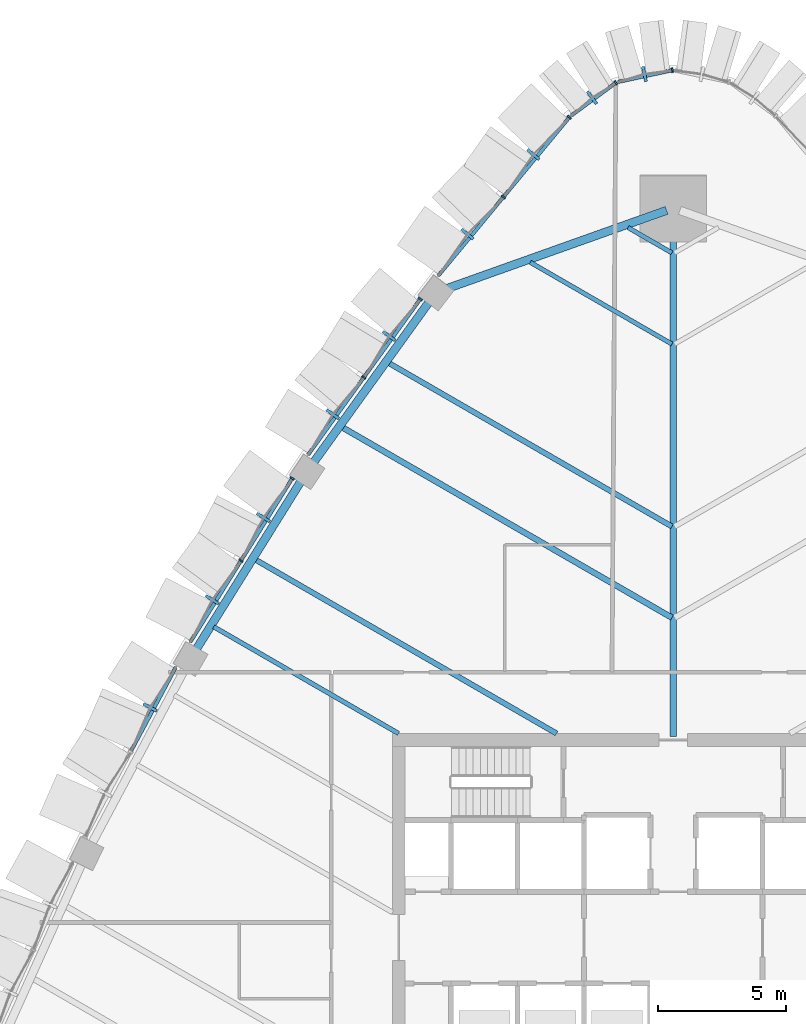
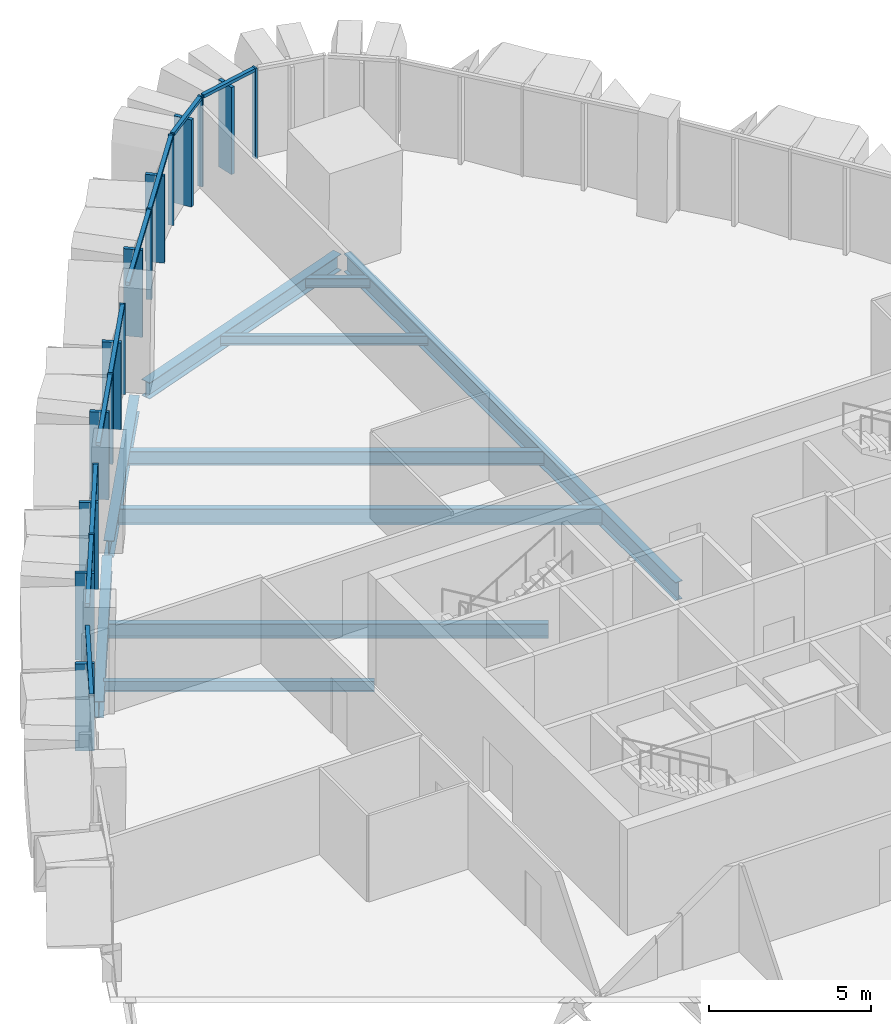
# One storey, part 6 of 18: 26 members, 10 beams, 6 elements without a shape of their own.
"""IFC4 building model written with IfcOpenShell, lengths in metres."""

from ifc_helpers import new_model, si_unit, direction, frame, origin, origin_2d, place, context, subcontext, project, spatial, rectangle, i_section, extrude, material, layer, layer_set, material_profile, profile_set, type_object, element, aggregate, save


model = new_model("IFC4")

# Units and contexts
model_context = context("Model", 3, precision=1e-05, world=origin(), true_north=direction((0.0, 1.0)))
body_context = subcontext(model_context, "Body", "Model", "MODEL_VIEW")
ifc_project = project(units=[si_unit("LENGTHUNIT", "METRE"), si_unit("AREAUNIT", "SQUARE_METRE"), si_unit("VOLUMEUNIT", "CUBIC_METRE"), si_unit("PLANEANGLEUNIT", "RADIAN"), si_unit("MASSUNIT", "GRAM", prefix="KILO")], contexts=[model_context])

# Site, building, storey
site_placement = place(None, origin())
site = spatial("IfcSite", under=ifc_project, at=site_placement, CompositionType="ELEMENT")
building_placement = place(site_placement, origin())
building = spatial("IfcBuilding", under=site, at=building_placement, Name="Sierra Prisma Convention Tower", CompositionType="ELEMENT")
storey_placement = place(building_placement, frame((0.0, 0.0, 137.800048828125)))
storey = spatial("IfcBuildingStorey", under=building, at=storey_placement, Name="L29", CompositionType="ELEMENT", Elevation=137.800048828125)

# Curtain wall, member
ifc_material_1 = material(Name="Aluminium and glass curtain wall", Category="aluminium")
ifc_layer = layer(ifc_material_1, 0.179931640625)
ifc_layer_set = layer_set([ifc_layer], Name="CW-2 Faceted crystal curtain wall")
curtain_wall_type = type_object("IfcCurtainWallType", Name="CW-2 Faceted crystal curtain wall", PredefinedType="NOTDEFINED", material=ifc_layer_set)
curtain_wall_1_placement = place(storey_placement, origin())
curtain_wall_1 = element("IfcCurtainWall", 1, at=curtain_wall_1_placement, inside=storey, type_object=curtain_wall_type, Name="CW-2 N3 L29", PredefinedType="NOTDEFINED")
ifc_material_2 = material(Name="Aluminium 6063-T6 bronze anodised", Category="aluminium")
ifc_material_profile_1 = material_profile(ifc_material_2, rectangle(XDim=0.1201171875, YDim=0.60009765625, at=origin_2d()), Name="ALU RIDGE BLADE 120x600")
ifc_profile_set_1 = profile_set([ifc_material_profile_1], Name="Aluminium 6063-T6 bronze anodised")
member_type_1 = type_object("IfcMemberType", Name="CW hip bronze", PredefinedType="MULLION", material=ifc_profile_set_1)
member_1_placement = place(storey_placement, frame((-1.127685546875, 33.839111328125, 0.0), z_axis=(0.0, 0.0, 1.0), x_axis=(-0.977709701838, -0.209961279603, 0.0)))
member_1 = element("IfcMember", 2, at=member_1_placement, type_object=member_type_1, Name="CW-2 ridge N3.1", PredefinedType="MULLION", context=body_context, shape_type="SweptSolid", body=[
    extrude(rectangle(XDim=0.1201171875, YDim=0.60009765625, at=origin_2d()), origin(), (0.0, 0.0, 1.0), 3.280029296875),
])

curtain_wall_2_placement = place(storey_placement, origin())
curtain_wall_2 = element("IfcCurtainWall", 3, at=curtain_wall_2_placement, inside=storey, type_object=curtain_wall_type, Name="CW-2 N4 L29", PredefinedType="NOTDEFINED")
member_2_placement = place(storey_placement, frame((-3.183837890625, 32.9130859375, 0.0), z_axis=(0.0, 0.0, 1.0), x_axis=(-0.805305304838, -0.592860325878, 0.0)))
member_2 = element("IfcMember", 4, at=member_2_placement, type_object=member_type_1, Name="CW-2 ridge N4.1", PredefinedType="MULLION", context=body_context, shape_type="SweptSolid", body=[
    extrude(rectangle(XDim=0.1201171875, YDim=0.60009765625, at=origin_2d()), origin(), (0.0, 0.0, 1.0), 3.280029296875),
])

# Curtain wall, members
curtain_wall_3_placement = place(storey_placement, origin())
curtain_wall_3 = element("IfcCurtainWall", 5, at=curtain_wall_3_placement, inside=storey, type_object=curtain_wall_type, Name="CW-2 NW1 L29", PredefinedType="NOTDEFINED")
member_3_placement = place(storey_placement, frame((-5.482177734375, 30.685302734375, 0.0), z_axis=(0.0, 0.0, 1.0), x_axis=(-0.637420262791, -0.770516325968, 0.0)))
member_3 = element("IfcMember", 6, at=member_3_placement, type_object=member_type_1, Name="CW-2 ridge NW1.1", PredefinedType="MULLION", context=body_context, shape_type="SweptSolid", body=[
    extrude(rectangle(XDim=0.1201171875, YDim=0.60009765625, at=origin_2d()), origin(), (0.0, 0.0, 1.0), 3.280029296875),
])
member_4_placement = place(storey_placement, frame((-8.0634765625, 27.56494140625, 0.0), z_axis=(0.0, 0.0, 1.0), x_axis=(-0.637420262791, -0.770516325968, 0.0)))
member_4 = element("IfcMember", 7, at=member_4_placement, type_object=member_type_1, Name="CW-2 ridge NW1.2", PredefinedType="MULLION", context=body_context, shape_type="SweptSolid", body=[
    extrude(rectangle(XDim=0.1201171875, YDim=0.60009765625, at=origin_2d()), origin(), (0.0, 0.0, 1.0), 3.280029296875),
])

curtain_wall_4_placement = place(storey_placement, origin())
curtain_wall_4 = element("IfcCurtainWall", 8, at=curtain_wall_4_placement, inside=storey, type_object=curtain_wall_type, Name="CW-2 NW2 L29", PredefinedType="NOTDEFINED")
member_5_placement = place(storey_placement, frame((-11.135498046875, 23.57470703125, 0.0), z_axis=(0.0, 0.0, 1.0), x_axis=(-0.584388948074, -0.81147369481, 0.0)))
member_5 = element("IfcMember", 9, at=member_5_placement, type_object=member_type_1, Name="CW-2 ridge NW2.1", PredefinedType="MULLION", context=body_context, shape_type="SweptSolid", body=[
    extrude(rectangle(XDim=0.1201171875, YDim=0.60009765625, at=origin_2d()), origin(), (0.0, 0.0, 1.0), 3.280029296875),
])
member_6_placement = place(storey_placement, frame((-13.3427734375, 20.509765625, 0.0), z_axis=(0.0, 0.0, 1.0), x_axis=(-0.584388948074, -0.81147369481, 0.0)))
member_6 = element("IfcMember", 10, at=member_6_placement, type_object=member_type_1, Name="CW-2 ridge NW2.2", PredefinedType="MULLION", context=body_context, shape_type="SweptSolid", body=[
    extrude(rectangle(XDim=0.1201171875, YDim=0.60009765625, at=origin_2d()), origin(), (0.0, 0.0, 1.0), 3.280029296875),
])

curtain_wall_5_placement = place(storey_placement, origin())
curtain_wall_5 = element("IfcCurtainWall", 11, at=curtain_wall_5_placement, inside=storey, type_object=curtain_wall_type, Name="CW-2 NW3 L29", PredefinedType="NOTDEFINED")
member_7_placement = place(storey_placement, frame((-16.0576171875, 16.46044921875, 0.0), z_axis=(0.0, 0.0, 1.0), x_axis=(-0.528733828428, -0.848787687632, 0.0)))
member_7 = element("IfcMember", 12, at=member_7_placement, type_object=member_type_1, Name="CW-2 ridge NW3.1", PredefinedType="MULLION", context=body_context, shape_type="SweptSolid", body=[
    extrude(rectangle(XDim=0.1201171875, YDim=0.60009765625, at=origin_2d()), origin(), (0.0, 0.0, 1.0), 3.280029296875),
])
member_8_placement = place(storey_placement, frame((-18.063232421875, 13.24072265625, 0.0), z_axis=(0.0, 0.0, 1.0), x_axis=(-0.528733828428, -0.848787687632, 0.0)))
member_8 = element("IfcMember", 13, at=member_8_placement, type_object=member_type_1, Name="CW-2 ridge NW3.2", PredefinedType="MULLION", context=body_context, shape_type="SweptSolid", body=[
    extrude(rectangle(XDim=0.1201171875, YDim=0.60009765625, at=origin_2d()), origin(), (0.0, 0.0, 1.0), 3.280029296875),
])

# Curtain wall, member
curtain_wall_6_placement = place(storey_placement, origin())
curtain_wall_6 = element("IfcCurtainWall", 14, at=curtain_wall_6_placement, inside=storey, type_object=curtain_wall_type, Name="CW-2 NW4 L29", PredefinedType="NOTDEFINED")
member_9_placement = place(storey_placement, frame((-20.498291015625, 9.022705078125, 0.0), z_axis=(0.0, 0.0, 1.0), x_axis=(-0.470704785695, -0.882290771075, 0.0)))
member_9 = element("IfcMember", 15, at=member_9_placement, type_object=member_type_1, Name="CW-2 ridge NW4.1", PredefinedType="MULLION", context=body_context, shape_type="SweptSolid", body=[
    extrude(rectangle(XDim=0.1201171875, YDim=0.60009765625, at=origin_2d()), origin(), (0.0, 0.0, 1.0), 3.280029296875),
])

# Member
ifc_material_3 = material(Name="Aluminium 6063-T6 bronze anodised", Category="aluminium")
ifc_material_profile_2 = material_profile(ifc_material_3, rectangle(XDim=0.179931640625, YDim=0.070068359375, at=origin_2d()), Name="ALU MULLION 70x180")
ifc_profile_set_2 = profile_set([ifc_material_profile_2], Name="Aluminium 6063-T6 bronze anodised")
member_type_2 = type_object("IfcMemberType", Name="CW mullion bronze", PredefinedType="MULLION", material=ifc_profile_set_2)
member_10_placement = place(storey_placement, frame((-0.0341796875, 33.988037109375, 0.0), z_axis=(0.0, 0.0, 1.0), x_axis=(0.209961279603, -0.977709701838, 0.0)))
member_10 = element("IfcMember", 16, at=member_10_placement, type_object=member_type_2, Name="CW-1 mullion N3.1", PredefinedType="MULLION", context=body_context, shape_type="SweptSolid", body=[
    extrude(rectangle(XDim=0.179931640625, YDim=0.070068359375, at=origin_2d()), origin(), (0.0, 0.0, 1.0), 3.39990234375),
])

member_11_placement = place(storey_placement, frame((-2.248046875, 33.497802734375, 0.0), z_axis=(0.0, 0.0, 1.0), x_axis=(0.592860325878, -0.805305304838, 0.0)))
member_11 = element("IfcMember", 17, at=member_11_placement, type_object=member_type_2, Name="CW-1 mullion N4.1", PredefinedType="MULLION", context=body_context, shape_type="SweptSolid", body=[
    extrude(rectangle(XDim=0.179931640625, YDim=0.070068359375, at=origin_2d()), origin(), (0.0, 0.0, 1.0), 3.39990234375),
])

member_12_placement = place(storey_placement, frame((-4.07080078125, 32.1455078125, 0.0), z_axis=(0.0, 0.0, 1.0), x_axis=(0.770516325968, -0.637420262791, 0.0)))
member_12 = element("IfcMember", 18, at=member_12_placement, type_object=member_type_2, Name="CW-1 mullion NW1.1", PredefinedType="MULLION", context=body_context, shape_type="SweptSolid", body=[
    extrude(rectangle(XDim=0.179931640625, YDim=0.070068359375, at=origin_2d()), origin(), (0.0, 0.0, 1.0), 3.39990234375),
])

member_13_placement = place(storey_placement, frame((-6.652099609375, 29.025146484375, 0.0), z_axis=(0.0, 0.0, 1.0), x_axis=(0.770516325968, -0.637420262791, 0.0)))
member_13 = element("IfcMember", 19, at=member_13_placement, type_object=member_type_2, Name="CW-1 mullion NW1.2", PredefinedType="MULLION", context=body_context, shape_type="SweptSolid", body=[
    extrude(rectangle(XDim=0.179931640625, YDim=0.070068359375, at=origin_2d()), origin(), (0.0, 0.0, 1.0), 3.39990234375),
])

member_14_placement = place(storey_placement, frame((-9.913330078125, 25.02197265625, 0.0), z_axis=(0.0, 0.0, 1.0), x_axis=(0.81147369481, -0.584388948074, 0.0)))
member_14 = element("IfcMember", 20, at=member_14_placement, type_object=member_type_2, Name="CW-1 mullion NW2.1", PredefinedType="MULLION", context=body_context, shape_type="SweptSolid", body=[
    extrude(rectangle(XDim=0.179931640625, YDim=0.070068359375, at=origin_2d()), origin(), (0.0, 0.0, 1.0), 3.39990234375),
])

member_15_placement = place(storey_placement, frame((-12.120849609375, 21.95703125, 0.0), z_axis=(0.0, 0.0, 1.0), x_axis=(0.81147369481, -0.584388948074, 0.0)))
member_15 = element("IfcMember", 21, at=member_15_placement, type_object=member_type_2, Name="CW-1 mullion NW2.2", PredefinedType="MULLION", context=body_context, shape_type="SweptSolid", body=[
    extrude(rectangle(XDim=0.179931640625, YDim=0.070068359375, at=origin_2d()), origin(), (0.0, 0.0, 1.0), 3.39990234375),
])

member_16_placement = place(storey_placement, frame((-14.930419921875, 17.992919921875, 0.0), z_axis=(0.0, 0.0, 1.0), x_axis=(0.848787687632, -0.528733828428, 0.0)))
member_16 = element("IfcMember", 22, at=member_16_placement, type_object=member_type_2, Name="CW-1 mullion NW3.1", PredefinedType="MULLION", context=body_context, shape_type="SweptSolid", body=[
    extrude(rectangle(XDim=0.179931640625, YDim=0.070068359375, at=origin_2d()), origin(), (0.0, 0.0, 1.0), 3.39990234375),
])

member_17_placement = place(storey_placement, frame((-16.93603515625, 14.773193359375, 0.0), z_axis=(0.0, 0.0, 1.0), x_axis=(0.848787687632, -0.528733828428, 0.0)))
member_17 = element("IfcMember", 23, at=member_17_placement, type_object=member_type_2, Name="CW-1 mullion NW3.2", PredefinedType="MULLION", context=body_context, shape_type="SweptSolid", body=[
    extrude(rectangle(XDim=0.179931640625, YDim=0.070068359375, at=origin_2d()), origin(), (0.0, 0.0, 1.0), 3.39990234375),
])

ifc_material_4 = material(Name="Aluminium 6063-T6 bronze anodised", Category="aluminium")
ifc_material_profile_3 = material_profile(ifc_material_4, rectangle(XDim=0.139892578125, YDim=0.1201171875, at=origin_2d()), Name="ALU TRANSOM 120x140")
ifc_profile_set_3 = profile_set([ifc_material_profile_3], Name="Aluminium 6063-T6 bronze anodised")
member_type_3 = type_object("IfcMemberType", Name="CW transom bronze", PredefinedType="USERDEFINED", material=ifc_profile_set_3)
member_18_placement = place(storey_placement, frame((-0.068359375, 33.980712890625, 3.33984375), z_axis=(-0.977720175897, -0.20991249997, 0.0), x_axis=(0.20991249997, -0.977720175897, 0.0)))
member_18 = element("IfcMember", 24, at=member_18_placement, type_object=member_type_3, Name="CW-1 transom N3.1", ObjectType="TRANSOM", PredefinedType="USERDEFINED", context=body_context, shape_type="SweptSolid", body=[
    extrude(rectangle(XDim=0.139892578125, YDim=0.1201171875, at=origin_2d()), origin(), (0.0, 0.0, 1.0), 2.130615234375),
])

aggregate(curtain_wall_1, [member_10, member_18, member_1])

member_19_placement = place(storey_placement, frame((-2.2763671875, 33.47705078125, 3.33984375), z_axis=(-0.805358158954, -0.592788525366, 0.0), x_axis=(0.592788525366, -0.805358158954, 0.0)))
member_19 = element("IfcMember", 25, at=member_19_placement, type_object=member_type_3, Name="CW-1 transom N4.1", ObjectType="TRANSOM", PredefinedType="USERDEFINED", context=body_context, shape_type="SweptSolid", body=[
    extrude(rectangle(XDim=0.139892578125, YDim=0.1201171875, at=origin_2d()), origin(), (0.0, 0.0, 1.0), 2.130615234375),
])

aggregate(curtain_wall_2, [member_11, member_19, member_2])

member_20_placement = place(storey_placement, frame((-4.093017578125, 32.11865234375, 3.33984375), z_axis=(-0.637440901646, -0.770499251725, 0.0), x_axis=(0.770499251725, -0.637440901646, 0.0)))
member_20 = element("IfcMember", 26, at=member_20_placement, type_object=member_type_3, Name="CW-1 transom NW1.1", ObjectType="TRANSOM", PredefinedType="USERDEFINED", context=body_context, shape_type="SweptSolid", body=[
    extrude(rectangle(XDim=0.139892578125, YDim=0.1201171875, at=origin_2d()), origin(), (0.0, 0.0, 1.0), 3.979736328125),
])

member_21_placement = place(storey_placement, frame((-6.674560546875, 28.998291015625, 3.33984375), z_axis=(-0.637404480593, -0.770529381737, 0.0), x_axis=(0.770529381737, -0.637404480593, 0.0)))
member_21 = element("IfcMember", 27, at=member_21_placement, type_object=member_type_3, Name="CW-1 transom NW1.2", ObjectType="TRANSOM", PredefinedType="USERDEFINED", context=body_context, shape_type="SweptSolid", body=[
    extrude(rectangle(XDim=0.139892578125, YDim=0.1201171875, at=origin_2d()), origin(), (0.0, 0.0, 1.0), 3.9794921875),
])

aggregate(curtain_wall_3, [member_12, member_13, member_20, member_3, member_21, member_4])

member_22_placement = place(storey_placement, frame((-9.933837890625, 24.99365234375, 3.33984375), z_axis=(-0.584398404167, -0.811466884849, 0.0), x_axis=(0.811466884849, -0.584398404167, 0.0)))
member_22 = element("IfcMember", 28, at=member_22_placement, type_object=member_type_3, Name="CW-1 transom NW2.1", ObjectType="TRANSOM", PredefinedType="USERDEFINED", context=body_context, shape_type="SweptSolid", body=[
    extrude(rectangle(XDim=0.139892578125, YDim=0.1201171875, at=origin_2d()), origin(), (0.0, 0.0, 1.0), 3.707275390625),
])

member_23_placement = place(storey_placement, frame((-12.14111328125, 21.928466796875, 3.33984375), z_axis=(-0.584398404167, -0.811466884849, 0.0), x_axis=(0.811466884849, -0.584398404167, 0.0)))
member_23 = element("IfcMember", 29, at=member_23_placement, type_object=member_type_3, Name="CW-1 transom NW2.2", ObjectType="TRANSOM", PredefinedType="USERDEFINED", context=body_context, shape_type="SweptSolid", body=[
    extrude(rectangle(XDim=0.139892578125, YDim=0.1201171875, at=origin_2d()), origin(), (0.0, 0.0, 1.0), 3.707275390625),
])

aggregate(curtain_wall_4, [member_14, member_15, member_22, member_5, member_23, member_6])

member_24_placement = place(storey_placement, frame((-14.94873046875, 17.963134765625, 3.33984375), z_axis=(-0.528742983639, -0.848781984524, 0.0), x_axis=(0.848781984524, -0.528742983639, 0.0)))
member_24 = element("IfcMember", 30, at=member_24_placement, type_object=member_type_3, Name="CW-1 transom NW3.1", ObjectType="TRANSOM", PredefinedType="USERDEFINED", context=body_context, shape_type="SweptSolid", body=[
    extrude(rectangle(XDim=0.139892578125, YDim=0.1201171875, at=origin_2d()), origin(), (0.0, 0.0, 1.0), 3.723388671875),
])

member_25_placement = place(storey_placement, frame((-16.95458984375, 14.743408203125, 3.33984375), z_axis=(-0.528695743737, -0.848811410476, 0.0), x_axis=(0.848811410476, -0.528695743737, 0.0)))
member_25 = element("IfcMember", 31, at=member_25_placement, type_object=member_type_3, Name="CW-1 transom NW3.2", ObjectType="TRANSOM", PredefinedType="USERDEFINED", context=body_context, shape_type="SweptSolid", body=[
    extrude(rectangle(XDim=0.139892578125, YDim=0.1201171875, at=origin_2d()), origin(), (0.0, 0.0, 1.0), 3.723388671875),
])

aggregate(curtain_wall_5, [member_16, member_17, member_24, member_7, member_25, member_8])

member_26_placement = place(storey_placement, frame((-19.492919921875, 10.596435546875, 3.33984375), z_axis=(-0.47066310618, -0.882313005957, 0.0), x_axis=(0.882313005957, -0.47066310618, 0.0)))
member_26 = element("IfcMember", 32, at=member_26_placement, type_object=member_type_3, Name="CW-1 transom NW4.1", ObjectType="TRANSOM", PredefinedType="USERDEFINED", context=body_context, shape_type="SweptSolid", body=[
    extrude(rectangle(XDim=0.139892578125, YDim=0.1201171875, at=origin_2d()), origin(), (0.0, 0.0, 1.0), 3.723388671875),
])

aggregate(curtain_wall_6, [member_26, member_9])

# Beams
ifc_material_5 = material(Name="Steel ASTM A992 Gr 50", Category="steel")
ifc_material_profile_4 = material_profile(ifc_material_5, i_section(OverallWidth=0.172119140625, OverallDepth=0.35791015625, WebThickness=0.0078125, FlangeThickness=0.01318359375, at=origin_2d()), Name="W360x57")
ifc_profile_set_4 = profile_set([ifc_material_profile_4], Name="Steel ASTM A992 Gr 50")
beam_type_1 = type_object("IfcBeamType", Name="Floor joist W360x57", PredefinedType="JOIST", material=ifc_profile_set_4)
beam_1_placement = place(storey_placement, frame((-1.77294921875, 27.8251953125, -0.3291015625), z_axis=(0.866005670015, -0.500034178334, 0.0), x_axis=(0.500034178334, 0.866005670015, 0.0)))
element("IfcBeam", 33, at=beam_1_placement, inside=storey, type_object=beam_type_1, Name="Floor joist L29 NW01", PredefinedType="JOIST", context=body_context, shape_type="SweptSolid", body=[
    extrude(i_section(OverallWidth=0.172119140625, OverallDepth=0.35791015625, WebThickness=0.0078125, FlangeThickness=0.01318359375, at=origin_2d()), origin(), (0.0, 0.0, 1.0), 1.988525390625),
])
beam_2_placement = place(storey_placement, frame((-5.601806640625, 26.462158203125, -0.3291015625), z_axis=(0.866028917938, -0.499993913259, 0.0), x_axis=(0.499993913259, 0.866028917938, 0.0)))
element("IfcBeam", 34, at=beam_2_placement, inside=storey, type_object=beam_type_1, Name="Floor joist L29 NW02", PredefinedType="JOIST", context=body_context, shape_type="SweptSolid", body=[
    extrude(i_section(OverallWidth=0.172119140625, OverallDepth=0.35791015625, WebThickness=0.0078125, FlangeThickness=0.01318359375, at=origin_2d()), origin(), (0.0, 0.0, 1.0), 6.40966796875),
])
ifc_material_6 = material(Name="Steel ASTM A992 Gr 50", Category="steel")
ifc_material_profile_5 = material_profile(ifc_material_6, i_section(OverallWidth=0.177978515625, OverallDepth=0.406982421875, WebThickness=0.0078125, FlangeThickness=0.0126953125, at=origin_2d()), Name="W410x60")
ifc_profile_set_5 = profile_set([ifc_material_profile_5], Name="Steel ASTM A992 Gr 50")
beam_type_2 = type_object("IfcBeamType", Name="Floor joist W410x60", PredefinedType="JOIST", material=ifc_profile_set_5)
beam_3_placement = place(storey_placement, frame((-18.00537109375, 12.18212890625, -0.353515625), z_axis=(0.866025182435, -0.500000383388, 0.0), x_axis=(0.500000383388, 0.866025182435, 0.0)))
element("IfcBeam", 35, at=beam_3_placement, inside=storey, type_object=beam_type_2, Name="Floor joist L29 NW08", PredefinedType="JOIST", context=body_context, shape_type="SweptSolid", body=[
    extrude(i_section(OverallWidth=0.177978515625, OverallDepth=0.406982421875, WebThickness=0.0078125, FlangeThickness=0.0126953125, at=origin_2d()), origin(), (0.0, 0.0, 1.0), 8.3642578125),
])
ifc_material_7 = material(Name="Steel ASTM A992 Gr 50", Category="steel")
ifc_material_profile_6 = material_profile(ifc_material_7, i_section(OverallWidth=0.208984375, OverallDepth=0.532958984375, WebThickness=0.01025390625, FlangeThickness=0.015625, at=origin_2d()), Name="W530x92")
ifc_profile_set_6 = profile_set([ifc_material_profile_6], Name="Steel ASTM A992 Gr 50")
beam_type_3 = type_object("IfcBeamType", Name="Floor joist W530x92", PredefinedType="JOIST", material=ifc_profile_set_6)
beam_4_placement = place(storey_placement, frame((-11.1474609375, 22.516845703125, -0.41650390625), z_axis=(0.866023130245, -0.500003937866, 0.0), x_axis=(0.500003937866, 0.866023130245, 0.0)))
element("IfcBeam", 36, at=beam_4_placement, inside=storey, type_object=beam_type_3, Name="Floor joist L29 NW04", PredefinedType="JOIST", context=body_context, shape_type="SweptSolid", body=[
    extrude(i_section(OverallWidth=0.208984375, OverallDepth=0.532958984375, WebThickness=0.01025390625, FlangeThickness=0.015625, at=origin_2d()), origin(), (0.0, 0.0, 1.0), 12.8134765625),
])
beam_5_placement = place(storey_placement, frame((-16.3681640625, 14.810302734375, -0.41650390625), z_axis=(0.866031868538, -0.499988802551, 0.0), x_axis=(0.499988802551, 0.866031868538, 0.0)))
element("IfcBeam", 37, at=beam_5_placement, inside=storey, type_object=beam_type_3, Name="Floor joist L29 NW07", PredefinedType="JOIST", context=body_context, shape_type="SweptSolid", body=[
    extrude(i_section(OverallWidth=0.208984375, OverallDepth=0.532958984375, WebThickness=0.01025390625, FlangeThickness=0.015625, at=origin_2d()), origin(), (0.0, 0.0, 1.0), 13.620849609375),
])
ifc_material_8 = material(Name="Steel ASTM A992 Gr 50", Category="steel")
ifc_material_profile_7 = material_profile(ifc_material_8, i_section(OverallWidth=0.22802734375, OverallDepth=0.60302734375, WebThickness=0.010498046875, FlangeThickness=0.014892578125, at=origin_2d()), Name="W610x101")
ifc_profile_set_7 = profile_set([ifc_material_profile_7], Name="Steel ASTM A992 Gr 50")
beam_type_4 = type_object("IfcBeamType", Name="Floor joist W610x101", PredefinedType="JOIST", material=ifc_profile_set_7)
beam_6_placement = place(storey_placement, frame((-12.965087890625, 19.992919921875, -0.45166015625), z_axis=(0.866019003511, -0.500011085435, 0.0), x_axis=(0.500011085435, 0.866019003511, 0.0)))
element("IfcBeam", 38, at=beam_6_placement, inside=storey, type_object=beam_type_4, Name="Floor joist L29 NW05", PredefinedType="JOIST", context=body_context, shape_type="SweptSolid", body=[
    extrude(i_section(OverallWidth=0.22802734375, OverallDepth=0.60302734375, WebThickness=0.010498046875, FlangeThickness=0.014892578125, at=origin_2d()), origin(), (0.0, 0.0, 1.0), 14.912353515625),
])
ifc_material_9 = material(Name="Steel ASTM A992 Gr 50", Category="steel")
ifc_material_profile_8 = material_profile(ifc_material_9, i_section(OverallWidth=0.25390625, OverallDepth=0.68408203125, WebThickness=0.012451171875, FlangeThickness=0.018798828125, at=origin_2d()), Name="W690x140")
ifc_profile_set_8 = profile_set([ifc_material_profile_8], Name="Steel ASTM A992 Gr 50")
beam_type_5 = type_object("IfcBeamType", Name="Radial girder W690x140", PredefinedType="BEAM", material=ifc_profile_set_8)
beam_7_placement = place(storey_placement, frame((0.0, 28.328125, -0.491943359375), z_axis=(0.0, -1.0, 0.0), x_axis=(1.0, 0.0, 0.0)))
element("IfcBeam", 39, at=beam_7_placement, inside=storey, type_object=beam_type_5, Name="Radial girder L29 N", PredefinedType="BEAM", context=body_context, shape_type="SweptSolid", body=[
    extrude(i_section(OverallWidth=0.25390625, OverallDepth=0.68408203125, WebThickness=0.012451171875, FlangeThickness=0.018798828125, at=origin_2d()), origin(), (0.0, 0.0, 1.0), 20.4482421875),
])
ifc_material_10 = material(Name="Steel ASTM A992 Gr 50", Category="steel")
ifc_material_profile_9 = material_profile(ifc_material_10, i_section(OverallWidth=0.324951171875, OverallDepth=0.615966796875, WebThickness=0.013916015625, FlangeThickness=0.021484375, at=origin_2d()), Name="W610x174")
ifc_profile_set_9 = profile_set([ifc_material_profile_9], Name="Steel ASTM A992 Gr 50")
beam_type_6 = type_object("IfcBeamType", Name="Spandrel beam W610x174", PredefinedType="BEAM", material=ifc_profile_set_9)
beam_8_placement = place(storey_placement, frame((-0.260009765625, 28.49560546875, -0.4580078125), z_axis=(-0.942095750295, -0.335343998421, 0.0), x_axis=(0.335343998421, -0.942095750295, 0.0)))
element("IfcBeam", 40, at=beam_8_placement, inside=storey, type_object=beam_type_6, Name="Spandrel L29-13", PredefinedType="BEAM", context=body_context, shape_type="SweptSolid", body=[
    extrude(i_section(OverallWidth=0.324951171875, OverallDepth=0.615966796875, WebThickness=0.013916015625, FlangeThickness=0.021484375, at=origin_2d()), origin(), (0.0, 0.0, 1.0), 9.11865234375),
])
for number, where, z_axis, x_axis, name in (
    (41, (-9.519775390625, 24.97021484375, -0.4580078125), (-0.5843618183, -0.811493231834, 0.0), (0.811493231834, -0.5843618183, 0.0), "Spandrel L29-14"),
    (42, (-14.551025390625, 17.93994140625, -0.4580078125), (-0.528734831513, -0.848787062781, 0.0), (0.848787062781, -0.528734831513, 0.0), "Spandrel L29-15"),
):
    element("IfcBeam", number, at=place(storey_placement, frame(where, z_axis=z_axis, x_axis=x_axis)), inside=storey, type_object=beam_type_6, Name=name, PredefinedType="BEAM", context=body_context, shape_type="SweptSolid", body=[
        extrude(i_section(OverallWidth=0.324951171875, OverallDepth=0.615966796875, WebThickness=0.013916015625, FlangeThickness=0.021484375, at=origin_2d()), origin(), (0.0, 0.0, 1.0), 7.88525390625),
    ])

save(model, "model.ifc")
